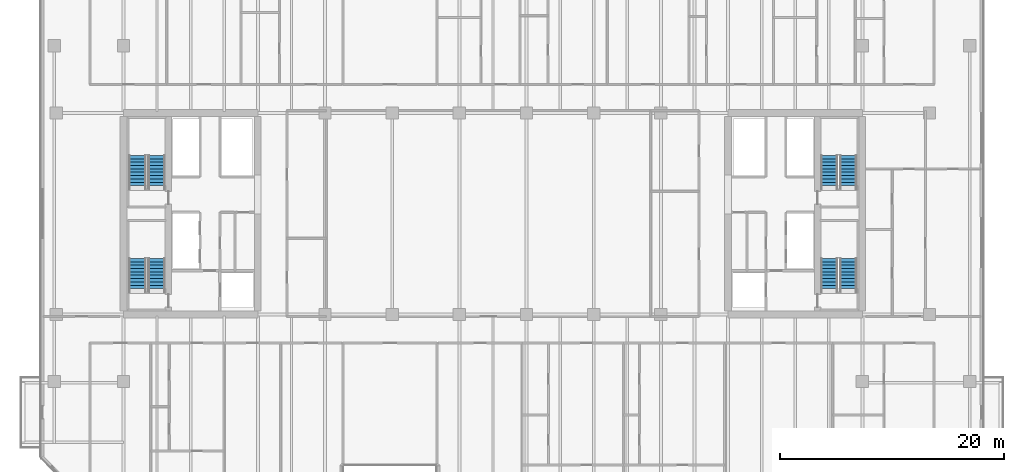
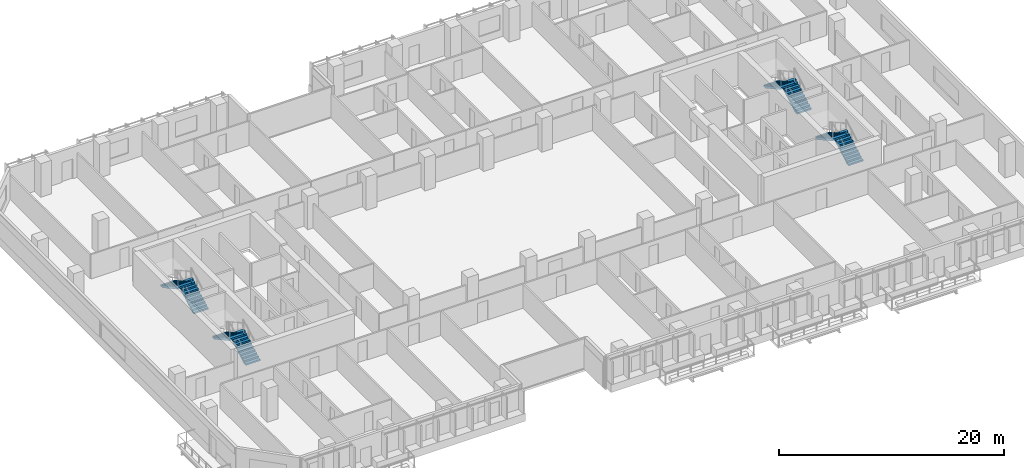
# One storey, part 17 of 26: 8 stair flights, 4 elements without a shape of their own.
"""IFC4 building model written with IfcOpenShell, lengths in metres."""

from ifc_helpers import new_model, si_unit, direction, frame, origin, place, context, subcontext, project, spatial, polyline, outline, extrude, material, type_object, element, aggregate, save


model = new_model("IFC4")

# Units and contexts
model_context = context("Model", 3, precision=1e-05, world=origin(), true_north=direction((0.0, 1.0)))
body_context = subcontext(model_context, "Body", "Model", "MODEL_VIEW")
ifc_project = project(units=[si_unit("LENGTHUNIT", "METRE"), si_unit("AREAUNIT", "SQUARE_METRE"), si_unit("VOLUMEUNIT", "CUBIC_METRE"), si_unit("PLANEANGLEUNIT", "RADIAN"), si_unit("MASSUNIT", "GRAM", prefix="KILO")], contexts=[model_context])

# Site, building, storey
site_placement = place(None, origin())
site = spatial("IfcSite", under=ifc_project, at=site_placement, CompositionType="ELEMENT")
building_placement = place(site_placement, origin())
building = spatial("IfcBuilding", under=site, at=building_placement, Name="Tanjung Sevakor Pilgrim Tower", CompositionType="ELEMENT")
storey_placement = place(building_placement, frame((0.0, 0.0, 66.0)))
storey = spatial("IfcBuildingStorey", under=building, at=storey_placement, Name="L18", CompositionType="ELEMENT", Elevation=66.0)

# Stair, stair flights
ifc_material_1 = material(Name="Concrete C40/50", Category="concrete")
stair_type = type_object("IfcStairType", Name="STAIR-ST-CR150", PredefinedType="HALF_TURN_STAIR", material=ifc_material_1)
stair_1_placement = place(storey_placement, origin())
stair_1 = element("IfcStair", 1, at=stair_1_placement, inside=storey, type_object=stair_type, Name="L18 West Core Exit Stair 1", PredefinedType="HALF_TURN_STAIR")
ifc_material_2 = material(Name="Concrete C40/50", Category="concrete")
stair_flight_type = type_object("IfcStairFlightType", Name="FLIGHT-ST-CR150", PredefinedType="STRAIGHT", material=ifc_material_2)
stair_flight_1_placement = place(storey_placement, frame((26.949951171875, 26.60009765625, 0.0), z_axis=(0.0, 0.0, 1.0), x_axis=(0.0, 1.0, 0.0)))
stair_flight_1 = element("IfcStairFlight", 2, at=stair_flight_1_placement, type_object=stair_flight_type, Name="TS-W1 flight 1", NumberOfRisers=11, NumberOfTreads=10, PredefinedType="STRAIGHT", RiserHeight=0.165, TreadLength=0.3, context=body_context, shape_type="SweptSolid", body=[
    extrude(outline(polyline([(0.0, 0.0), (0.0, 0.1650390625), (0.300048828125, 0.1650390625), (0.300048828125, 0.330078125), (0.60009765625, 0.330078125), (0.60009765625, 0.4951171875), (0.89990234375, 0.4951171875), (0.89990234375, 0.659912109375), (1.199951171875, 0.659912109375), (1.199951171875, 0.824951171875), (1.5, 0.824951171875), (1.5, 0.989990234375), (1.800048828125, 0.989990234375), (1.800048828125, 1.155029296875), (2.10009765625, 1.155029296875), (2.10009765625, 1.320068359375), (2.39990234375, 1.320068359375), (2.39990234375, 1.485107421875), (2.699951171875, 1.485107421875), (2.699951171875, 1.64990234375), (3.0, 1.64990234375), (3.0, 1.81494140625), (3.0, 1.467529296875), (0.331787109375, 0.0), (0.0, 0.0)])), frame((0.0, 0.75, 0.0), z_axis=(0.0, -1.0, 0.0), x_axis=(1.0, 0.0, 0.0)), (0.0, 0.0, 1.0), 1.5),
])
stair_flight_2_placement = place(storey_placement, frame((25.25, 29.60009765625, 1.81494140625), z_axis=(0.0, 0.0, 1.0), x_axis=(0.0, -1.0, 0.0)))
stair_flight_2 = element("IfcStairFlight", 3, at=stair_flight_2_placement, type_object=stair_flight_type, Name="TS-W1 flight 2", NumberOfRisers=11, NumberOfTreads=10, PredefinedType="STRAIGHT", RiserHeight=0.165, TreadLength=0.3, context=body_context, shape_type="SweptSolid", body=[
    extrude(outline(polyline([(0.0, 0.0), (0.0, 0.1650390625), (0.300048828125, 0.1650390625), (0.300048828125, 0.330078125), (0.60009765625, 0.330078125), (0.60009765625, 0.4951171875), (0.89990234375, 0.4951171875), (0.89990234375, 0.659912109375), (1.199951171875, 0.659912109375), (1.199951171875, 0.824951171875), (1.5, 0.824951171875), (1.5, 0.989990234375), (1.800048828125, 0.989990234375), (1.800048828125, 1.155029296875), (2.10009765625, 1.155029296875), (2.10009765625, 1.320068359375), (2.39990234375, 1.320068359375), (2.39990234375, 1.485107421875), (2.699951171875, 1.485107421875), (2.699951171875, 1.64990234375), (3.0, 1.64990234375), (3.0, 1.81494140625), (3.0, 1.467529296875), (0.331787109375, 0.0), (0.0, 0.0)])), frame((0.0, 0.75, 0.0), z_axis=(0.0, -1.0, 0.0), x_axis=(1.0, 0.0, 0.0)), (0.0, 0.0, 1.0), 1.5),
])
aggregate(stair_1, [stair_flight_1, stair_flight_2])

stair_2_placement = place(storey_placement, origin())
stair_2 = element("IfcStair", 4, at=stair_2_placement, inside=storey, type_object=stair_type, Name="L18 West Core Exit Stair 2", PredefinedType="HALF_TURN_STAIR")
stair_flight_3_placement = place(storey_placement, frame((26.949951171875, 35.800048828125, 0.0), z_axis=(0.0, 0.0, 1.0), x_axis=(0.0, 1.0, 0.0)))
stair_flight_3 = element("IfcStairFlight", 5, at=stair_flight_3_placement, type_object=stair_flight_type, Name="TS-W2 flight 1", NumberOfRisers=11, NumberOfTreads=10, PredefinedType="STRAIGHT", RiserHeight=0.165, TreadLength=0.3, context=body_context, shape_type="SweptSolid", body=[
    extrude(outline(polyline([(0.0, 0.0), (0.0, 0.1650390625), (0.300048828125, 0.1650390625), (0.300048828125, 0.330078125), (0.60009765625, 0.330078125), (0.60009765625, 0.4951171875), (0.89990234375, 0.4951171875), (0.89990234375, 0.659912109375), (1.199951171875, 0.659912109375), (1.199951171875, 0.824951171875), (1.5, 0.824951171875), (1.5, 0.989990234375), (1.800048828125, 0.989990234375), (1.800048828125, 1.155029296875), (2.10009765625, 1.155029296875), (2.10009765625, 1.320068359375), (2.39990234375, 1.320068359375), (2.39990234375, 1.485107421875), (2.699951171875, 1.485107421875), (2.699951171875, 1.64990234375), (3.0, 1.64990234375), (3.0, 1.81494140625), (3.0, 1.467529296875), (0.331787109375, 0.0), (0.0, 0.0)])), frame((0.0, 0.75, 0.0), z_axis=(0.0, -1.0, 0.0), x_axis=(1.0, 0.0, 0.0)), (0.0, 0.0, 1.0), 1.5),
])
stair_flight_4_placement = place(storey_placement, frame((25.25, 38.800048828125, 1.81494140625), z_axis=(0.0, 0.0, 1.0), x_axis=(0.0, -1.0, 0.0)))
stair_flight_4 = element("IfcStairFlight", 6, at=stair_flight_4_placement, type_object=stair_flight_type, Name="TS-W2 flight 2", NumberOfRisers=11, NumberOfTreads=10, PredefinedType="STRAIGHT", RiserHeight=0.165, TreadLength=0.3, context=body_context, shape_type="SweptSolid", body=[
    extrude(outline(polyline([(0.0, 0.0), (0.0, 0.1650390625), (0.300048828125, 0.1650390625), (0.300048828125, 0.330078125), (0.60009765625, 0.330078125), (0.60009765625, 0.4951171875), (0.89990234375, 0.4951171875), (0.89990234375, 0.659912109375), (1.199951171875, 0.659912109375), (1.199951171875, 0.824951171875), (1.5, 0.824951171875), (1.5, 0.989990234375), (1.800048828125, 0.989990234375), (1.800048828125, 1.155029296875), (2.10009765625, 1.155029296875), (2.10009765625, 1.320068359375), (2.39990234375, 1.320068359375), (2.39990234375, 1.485107421875), (2.699951171875, 1.485107421875), (2.699951171875, 1.64990234375), (3.0, 1.64990234375), (3.0, 1.81494140625), (3.0, 1.467529296875), (0.331787109375, 0.0), (0.0, 0.0)])), frame((0.0, 0.75, 0.0), z_axis=(0.0, -1.0, 0.0), x_axis=(1.0, 0.0, 0.0)), (0.0, 0.0, 1.0), 1.5),
])
aggregate(stair_2, [stair_flight_3, stair_flight_4])

stair_3_placement = place(storey_placement, origin())
stair_3 = element("IfcStair", 7, at=stair_3_placement, inside=storey, type_object=stair_type, Name="L18 East Core Exit Stair 1", PredefinedType="HALF_TURN_STAIR")
stair_flight_5_placement = place(storey_placement, frame((88.75, 26.60009765625, 0.0), z_axis=(0.0, 0.0, 1.0), x_axis=(0.0, 1.0, 0.0)))
stair_flight_5 = element("IfcStairFlight", 8, at=stair_flight_5_placement, type_object=stair_flight_type, Name="TS-E1 flight 1", NumberOfRisers=11, NumberOfTreads=10, PredefinedType="STRAIGHT", RiserHeight=0.165, TreadLength=0.3, context=body_context, shape_type="SweptSolid", body=[
    extrude(outline(polyline([(0.0, 0.0), (0.0, 0.1650390625), (0.300048828125, 0.1650390625), (0.300048828125, 0.330078125), (0.60009765625, 0.330078125), (0.60009765625, 0.4951171875), (0.89990234375, 0.4951171875), (0.89990234375, 0.659912109375), (1.199951171875, 0.659912109375), (1.199951171875, 0.824951171875), (1.5, 0.824951171875), (1.5, 0.989990234375), (1.800048828125, 0.989990234375), (1.800048828125, 1.155029296875), (2.10009765625, 1.155029296875), (2.10009765625, 1.320068359375), (2.39990234375, 1.320068359375), (2.39990234375, 1.485107421875), (2.699951171875, 1.485107421875), (2.699951171875, 1.64990234375), (3.0, 1.64990234375), (3.0, 1.81494140625), (3.0, 1.467529296875), (0.331787109375, 0.0), (0.0, 0.0)])), frame((0.0, 0.75, 0.0), z_axis=(0.0, -1.0, 0.0), x_axis=(1.0, 0.0, 0.0)), (0.0, 0.0, 1.0), 1.5),
])
stair_flight_6_placement = place(storey_placement, frame((87.050048828125, 29.60009765625, 1.81494140625), z_axis=(0.0, 0.0, 1.0), x_axis=(0.0, -1.0, 0.0)))
stair_flight_6 = element("IfcStairFlight", 9, at=stair_flight_6_placement, type_object=stair_flight_type, Name="TS-E1 flight 2", NumberOfRisers=11, NumberOfTreads=10, PredefinedType="STRAIGHT", RiserHeight=0.165, TreadLength=0.3, context=body_context, shape_type="SweptSolid", body=[
    extrude(outline(polyline([(0.0, 0.0), (0.0, 0.1650390625), (0.300048828125, 0.1650390625), (0.300048828125, 0.330078125), (0.60009765625, 0.330078125), (0.60009765625, 0.4951171875), (0.89990234375, 0.4951171875), (0.89990234375, 0.659912109375), (1.199951171875, 0.659912109375), (1.199951171875, 0.824951171875), (1.5, 0.824951171875), (1.5, 0.989990234375), (1.800048828125, 0.989990234375), (1.800048828125, 1.155029296875), (2.10009765625, 1.155029296875), (2.10009765625, 1.320068359375), (2.39990234375, 1.320068359375), (2.39990234375, 1.485107421875), (2.699951171875, 1.485107421875), (2.699951171875, 1.64990234375), (3.0, 1.64990234375), (3.0, 1.81494140625), (3.0, 1.467529296875), (0.331787109375, 0.0), (0.0, 0.0)])), frame((0.0, 0.75, 0.0), z_axis=(0.0, -1.0, 0.0), x_axis=(1.0, 0.0, 0.0)), (0.0, 0.0, 1.0), 1.5),
])
aggregate(stair_3, [stair_flight_5, stair_flight_6])

stair_4_placement = place(storey_placement, origin())
stair_4 = element("IfcStair", 10, at=stair_4_placement, inside=storey, type_object=stair_type, Name="L18 East Core Exit Stair 2", PredefinedType="HALF_TURN_STAIR")
stair_flight_7_placement = place(storey_placement, frame((88.75, 35.800048828125, 0.0), z_axis=(0.0, 0.0, 1.0), x_axis=(0.0, 1.0, 0.0)))
stair_flight_7 = element("IfcStairFlight", 11, at=stair_flight_7_placement, type_object=stair_flight_type, Name="TS-E2 flight 1", NumberOfRisers=11, NumberOfTreads=10, PredefinedType="STRAIGHT", RiserHeight=0.165, TreadLength=0.3, context=body_context, shape_type="SweptSolid", body=[
    extrude(outline(polyline([(0.0, 0.0), (0.0, 0.1650390625), (0.300048828125, 0.1650390625), (0.300048828125, 0.330078125), (0.60009765625, 0.330078125), (0.60009765625, 0.4951171875), (0.89990234375, 0.4951171875), (0.89990234375, 0.659912109375), (1.199951171875, 0.659912109375), (1.199951171875, 0.824951171875), (1.5, 0.824951171875), (1.5, 0.989990234375), (1.800048828125, 0.989990234375), (1.800048828125, 1.155029296875), (2.10009765625, 1.155029296875), (2.10009765625, 1.320068359375), (2.39990234375, 1.320068359375), (2.39990234375, 1.485107421875), (2.699951171875, 1.485107421875), (2.699951171875, 1.64990234375), (3.0, 1.64990234375), (3.0, 1.81494140625), (3.0, 1.467529296875), (0.331787109375, 0.0), (0.0, 0.0)])), frame((0.0, 0.75, 0.0), z_axis=(0.0, -1.0, 0.0), x_axis=(1.0, 0.0, 0.0)), (0.0, 0.0, 1.0), 1.5),
])
stair_flight_8_placement = place(storey_placement, frame((87.050048828125, 38.800048828125, 1.81494140625), z_axis=(0.0, 0.0, 1.0), x_axis=(0.0, -1.0, 0.0)))
stair_flight_8 = element("IfcStairFlight", 12, at=stair_flight_8_placement, type_object=stair_flight_type, Name="TS-E2 flight 2", NumberOfRisers=11, NumberOfTreads=10, PredefinedType="STRAIGHT", RiserHeight=0.165, TreadLength=0.3, context=body_context, shape_type="SweptSolid", body=[
    extrude(outline(polyline([(0.0, 0.0), (0.0, 0.1650390625), (0.300048828125, 0.1650390625), (0.300048828125, 0.330078125), (0.60009765625, 0.330078125), (0.60009765625, 0.4951171875), (0.89990234375, 0.4951171875), (0.89990234375, 0.659912109375), (1.199951171875, 0.659912109375), (1.199951171875, 0.824951171875), (1.5, 0.824951171875), (1.5, 0.989990234375), (1.800048828125, 0.989990234375), (1.800048828125, 1.155029296875), (2.10009765625, 1.155029296875), (2.10009765625, 1.320068359375), (2.39990234375, 1.320068359375), (2.39990234375, 1.485107421875), (2.699951171875, 1.485107421875), (2.699951171875, 1.64990234375), (3.0, 1.64990234375), (3.0, 1.81494140625), (3.0, 1.467529296875), (0.331787109375, 0.0), (0.0, 0.0)])), frame((0.0, 0.75, 0.0), z_axis=(0.0, -1.0, 0.0), x_axis=(1.0, 0.0, 0.0)), (0.0, 0.0, 1.0), 1.5),
])
aggregate(stair_4, [stair_flight_7, stair_flight_8])

save(model, "model.ifc")
